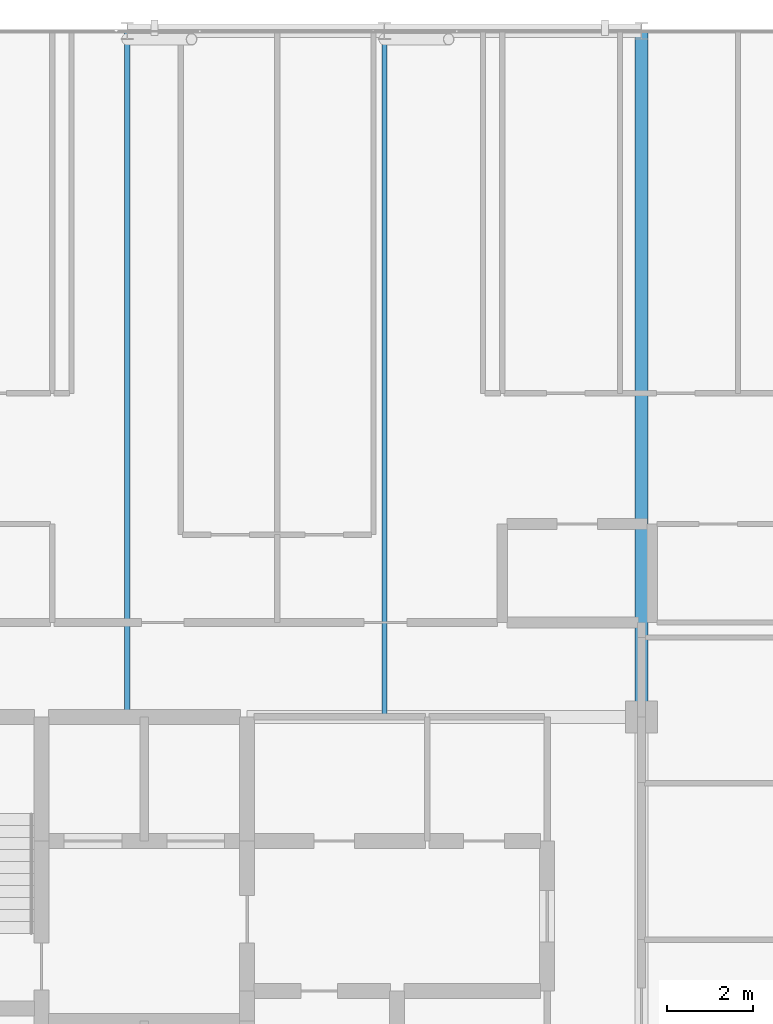
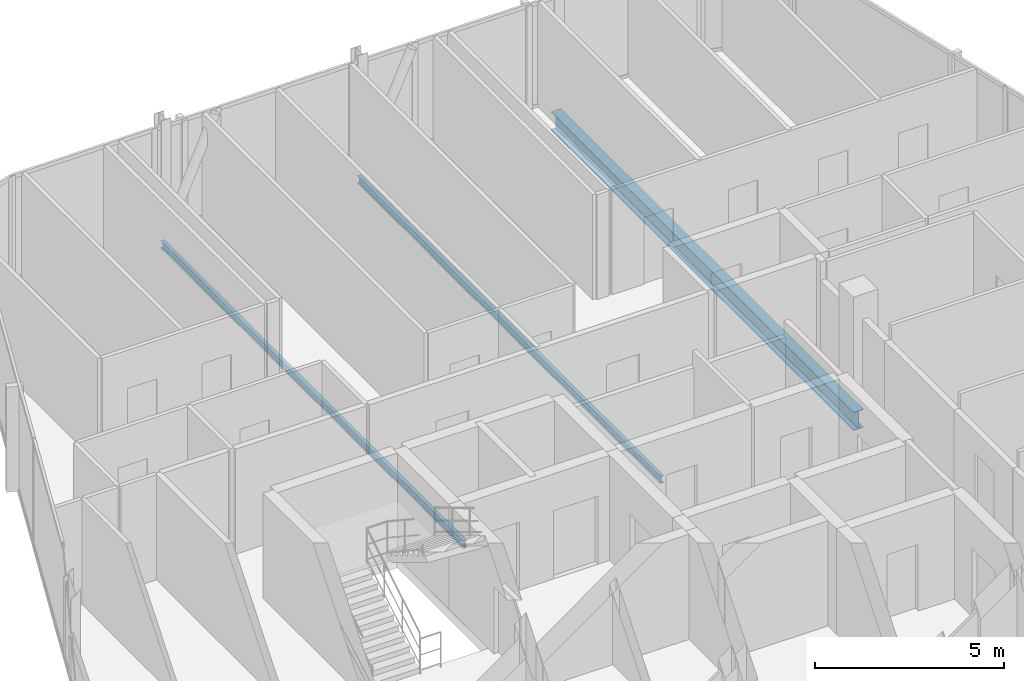
# One storey, part 16 of 28: 3 beams.
"""IFC4 building model written with IfcOpenShell, lengths in metres."""

from ifc_helpers import new_model, si_unit, direction, frame, origin, origin_2d, place, context, subcontext, project, spatial, i_section, extrude, material, material_profile, profile_set, type_object, element, save


model = new_model("IFC4")

# Units and contexts
model_context = context("Model", 3, precision=1e-05, world=origin(), true_north=direction((0.0, 1.0)))
body_context = subcontext(model_context, "Body", "Model", "MODEL_VIEW")
ifc_project = project(units=[si_unit("LENGTHUNIT", "METRE"), si_unit("AREAUNIT", "SQUARE_METRE"), si_unit("VOLUMEUNIT", "CUBIC_METRE"), si_unit("PLANEANGLEUNIT", "RADIAN"), si_unit("MASSUNIT", "GRAM", prefix="KILO")], contexts=[model_context])

# Site, building, storey
site_placement = place(None, origin())
site = spatial("IfcSite", under=ifc_project, at=site_placement, CompositionType="ELEMENT")
building_placement = place(site_placement, origin())
building = spatial("IfcBuilding", under=site, at=building_placement, Name="Keshet Zoharim Tower", CompositionType="ELEMENT")
storey_placement = place(building_placement, frame((0.0, 0.0, 258.39990234375)))
storey = spatial("IfcBuildingStorey", under=building, at=storey_placement, Name="L64", CompositionType="ELEMENT", Elevation=258.39990234375)

# Beams
ifc_material = material(Name="Steel S355", Category="steel")
ifc_material_profile_1 = material_profile(ifc_material, i_section(OverallWidth=0.1201171875, OverallDepth=0.239990234375, WebThickness=0.006103515625, FlangeThickness=0.009765625, FilletRadius=0.014892578125, at=origin_2d()), Name="IPE240")
ifc_profile_set_1 = profile_set([ifc_material_profile_1], Name="Steel S355")
beam_type_1 = type_object("IfcBeamType", Name="BM-JST-IP240", PredefinedType="JOIST", material=ifc_profile_set_1)
for number, where, z_axis, x_axis, name in (
    (1, (21.0, 37.89990234375, -0.429931640625), (0.0, 1.0, 0.0), (-1.0, 0.0, 0.0), "L64 Secondary Floor Joist J-001"),
    (2, (27.0, 37.89990234375, -0.429931640625), (0.0, 1.0, 0.0), (-1.0, 0.0, 0.0), "L64 Secondary Floor Joist J-002"),
):
    element("IfcBeam", number, at=place(storey_placement, frame(where, z_axis=z_axis, x_axis=x_axis)), inside=storey, type_object=beam_type_1, Name=name, PredefinedType="JOIST", context=body_context, shape_type="SweptSolid", body=[
        extrude(i_section(OverallWidth=0.1201171875, OverallDepth=0.239990234375, WebThickness=0.006103515625, FlangeThickness=0.009765625, FilletRadius=0.014892578125, at=origin_2d()), origin(), (0.0, 0.0, 1.0), 16.0),
    ])
ifc_material_profile_2 = material_profile(ifc_material, i_section(OverallWidth=0.300048828125, OverallDepth=0.60009765625, WebThickness=0.015380859375, FlangeThickness=0.030029296875, FilletRadius=0.027099609375, at=origin_2d()), Name="HEB600")
ifc_profile_set_2 = profile_set([ifc_material_profile_2], Name="Steel S355")
beam_type_2 = type_object("IfcBeamType", Name="BM-LNG-HB600", PredefinedType="BEAM", material=ifc_profile_set_2)
beam_placement = place(storey_placement, frame((33.0, 37.89990234375, -0.60986328125), z_axis=(0.0, 1.0, 0.0), x_axis=(-1.0, 0.0, 0.0)))
element("IfcBeam", 3, at=beam_placement, inside=storey, type_object=beam_type_2, Name="L64 Primary Girder Y-009", PredefinedType="BEAM", context=body_context, shape_type="SweptSolid", body=[
    extrude(i_section(OverallWidth=0.300048828125, OverallDepth=0.60009765625, WebThickness=0.015380859375, FlangeThickness=0.030029296875, FilletRadius=0.027099609375, at=origin_2d()), origin(), (0.0, 0.0, 1.0), 16.0),
])

save(model, "model.ifc")
